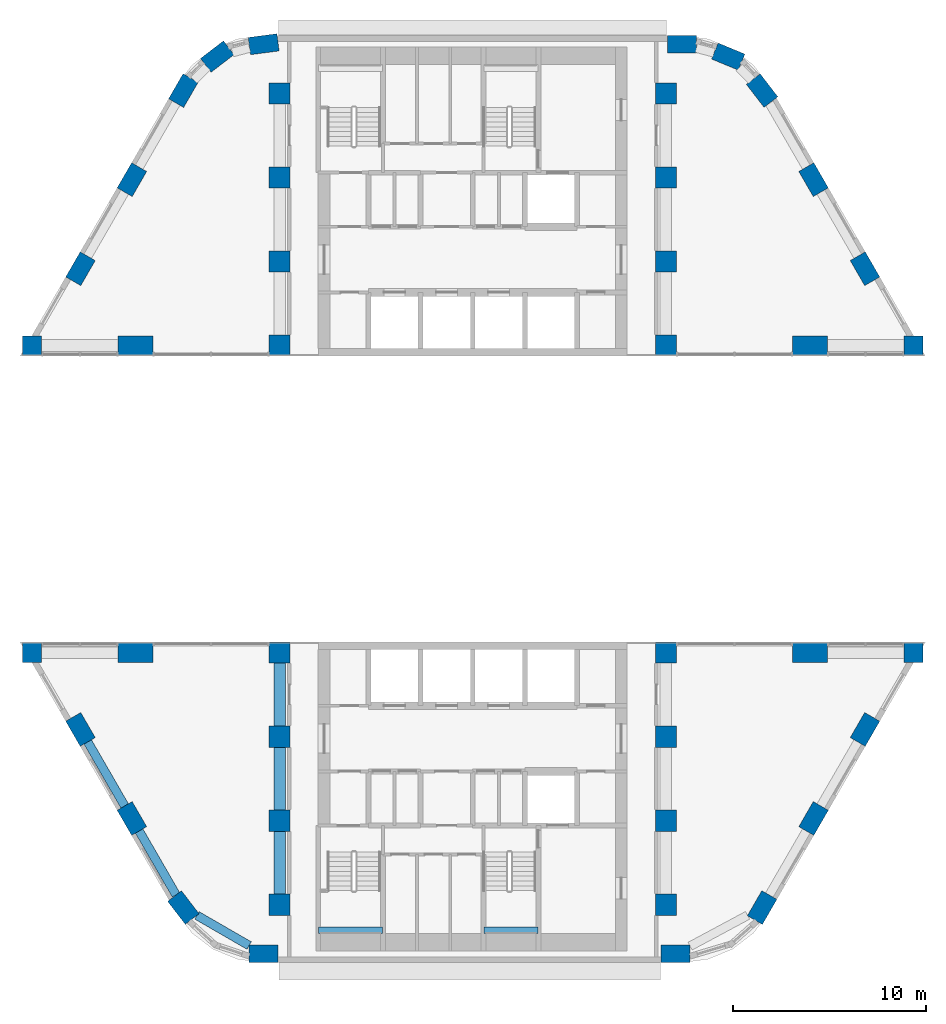
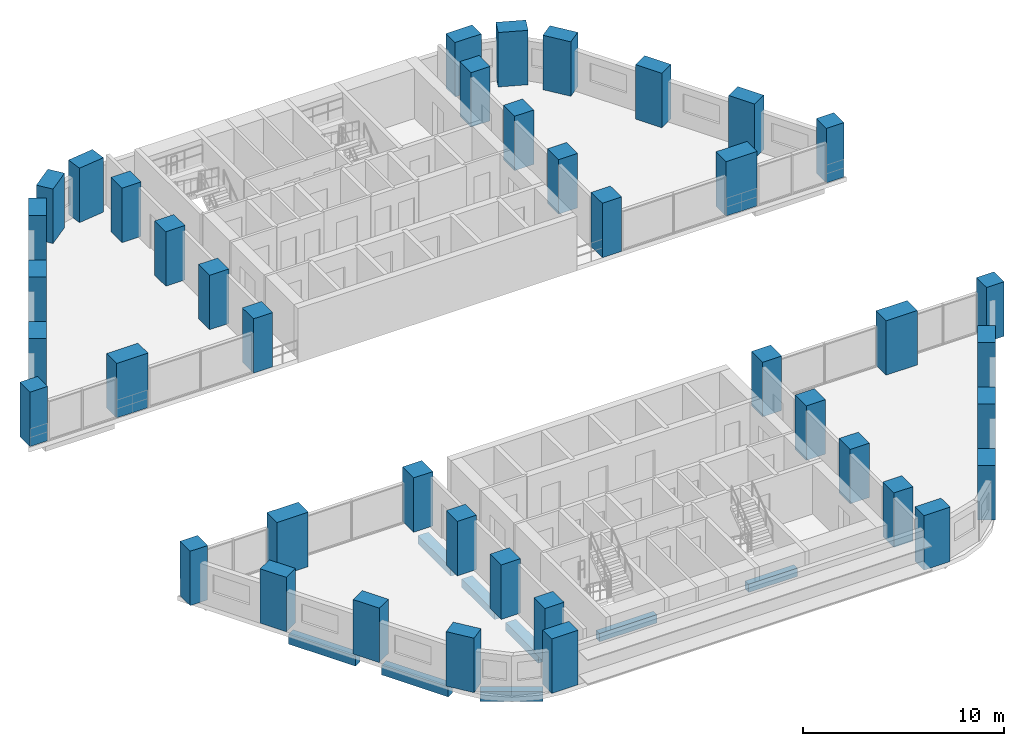
# One storey, part 1 of 11: 42 columns, 8 beams.
"""IFC4 building model written with IfcOpenShell, lengths in metres."""

from ifc_helpers import new_model, si_unit, direction, frame, origin, origin_2d, place, context, subcontext, project, spatial, rectangle, extrude, material, material_profile, profile_set, type_object, element, save


model = new_model("IFC4")

# Units and contexts
model_context = context("Model", 3, precision=1e-05, world=origin(), true_north=direction((0.0, 1.0)))
body_context = subcontext(model_context, "Body", "Model", "MODEL_VIEW")
ifc_project = project(units=[si_unit("LENGTHUNIT", "METRE"), si_unit("AREAUNIT", "SQUARE_METRE"), si_unit("VOLUMEUNIT", "CUBIC_METRE"), si_unit("PLANEANGLEUNIT", "RADIAN"), si_unit("MASSUNIT", "GRAM", prefix="KILO")], contexts=[model_context])

# Site, building, storey
site_placement = place(None, origin())
site = spatial("IfcSite", under=ifc_project, at=site_placement, CompositionType="ELEMENT")
building_placement = place(site_placement, origin())
building = spatial("IfcBuilding", under=site, at=building_placement, Name="Nakaniwa Court", CompositionType="ELEMENT")
storey_placement = place(building_placement, frame((0.0, 0.0, 31.5)))
storey = spatial("IfcBuildingStorey", under=building, at=storey_placement, Name="L07", CompositionType="ELEMENT", Elevation=31.5)

# Columns
ifc_material_1 = material(Name="Concrete C100/115", Category="concrete")
ifc_material_profile_1 = material_profile(ifc_material_1, rectangle(XDim=1.0, YDim=1.0, at=origin_2d()), Name="Concrete C100/115 RC 1000x1000 portal edge column")
ifc_profile_set_1 = profile_set([ifc_material_profile_1], Name="Concrete C100/115")
column_type_1 = type_object("IfcColumnType", Name="Concrete C100/115 RC 1000x1000 portal edge column", PredefinedType="COLUMN", material=ifc_profile_set_1)
for number, where, z_axis, x_axis, name in (
    (1, (102.822998046875, 87.949951171875, 0.0), (0.0, 0.0, 1.0), (1.0, 0.0, 0.0), "COLUMN CP-03"),
    (2, (102.822998046875, 72.050048828125, 0.0), (0.0, 0.0, 1.0), (1.0, 0.0, 0.0), "COLUMN CP-04"),
    (3, (57.177001953125, 87.949951171875, 0.0), (0.0, 0.0, 1.0), (1.0, 0.0, 0.0), "COLUMN CP-11"),
    (4, (57.177001953125, 72.050048828125, 0.0), (0.0, 0.0, 1.0), (1.0, 0.0, 0.0), "COLUMN CP-12"),
):
    element("IfcColumn", number, at=place(storey_placement, frame(where, z_axis=z_axis, x_axis=x_axis)), inside=storey, type_object=column_type_1, Name=name, PredefinedType="COLUMN", context=body_context, shape_type="SweptSolid", body=[
        extrude(rectangle(XDim=1.0, YDim=1.0, at=origin_2d()), origin(), (0.0, 0.0, 1.0), 3.300048828125),
    ])
ifc_material_profile_2 = material_profile(ifc_material_1, rectangle(XDim=1.10009765625, YDim=1.10009765625, at=origin_2d()), Name="Concrete C100/115 RC 1100x1100 spine column")
ifc_profile_set_2 = profile_set([ifc_material_profile_2], Name="Concrete C100/115")
column_type_2 = type_object("IfcColumnType", Name="Concrete C100/115 RC 1100x1100 spine column", PredefinedType="COLUMN", material=ifc_profile_set_2)
for number, where, z_axis, x_axis, name in (
    (5, (90.0, 59.0, 0.0), (0.0, 0.0, 1.0), (0.0, 1.0, 0.0), "COLUMN CS-01"),
    (6, (90.0, 63.35009765625, 0.0), (0.0, 0.0, 1.0), (0.0, 1.0, 0.0), "COLUMN CS-02"),
    (7, (90.0, 67.699951171875, 0.0), (0.0, 0.0, 1.0), (0.0, 1.0, 0.0), "COLUMN CS-03"),
    (8, (90.0, 72.050048828125, 0.0), (0.0, 0.0, 1.0), (0.0, 1.0, 0.0), "COLUMN CS-04"),
    (9, (90.0, 87.949951171875, 0.0), (0.0, 0.0, 1.0), (0.0, 1.0, 0.0), "COLUMN CS-07"),
    (10, (90.0, 92.300048828125, 0.0), (0.0, 0.0, 1.0), (0.0, 1.0, 0.0), "COLUMN CS-08"),
    (11, (90.0, 96.64990234375, 0.0), (0.0, 0.0, 1.0), (0.0, 1.0, 0.0), "COLUMN CS-09"),
    (12, (90.0, 101.0, 0.0), (0.0, 0.0, 1.0), (0.0, 1.0, 0.0), "COLUMN CS-10"),
    (13, (70.0, 101.0, 0.0), (0.0, 0.0, 1.0), (0.0, -1.0, 0.0), "COLUMN CS-11"),
    (14, (70.0, 96.64990234375, 0.0), (0.0, 0.0, 1.0), (0.0, -1.0, 0.0), "COLUMN CS-12"),
    (15, (70.0, 92.300048828125, 0.0), (0.0, 0.0, 1.0), (0.0, -1.0, 0.0), "COLUMN CS-13"),
    (16, (70.0, 87.949951171875, 0.0), (0.0, 0.0, 1.0), (0.0, -1.0, 0.0), "COLUMN CS-14"),
    (17, (70.0, 72.050048828125, 0.0), (0.0, 0.0, 1.0), (0.0, -1.0, 0.0), "COLUMN CS-17"),
    (18, (70.0, 67.699951171875, 0.0), (0.0, 0.0, 1.0), (0.0, -1.0, 0.0), "COLUMN CS-18"),
    (19, (70.0, 63.35009765625, 0.0), (0.0, 0.0, 1.0), (0.0, -1.0, 0.0), "COLUMN CS-19"),
    (20, (70.0, 59.0, 0.0), (0.0, 0.0, 1.0), (0.0, -1.0, 0.0), "COLUMN CS-20"),
):
    element("IfcColumn", number, at=place(storey_placement, frame(where, z_axis=z_axis, x_axis=x_axis)), inside=storey, type_object=column_type_2, Name=name, PredefinedType="COLUMN", context=body_context, shape_type="SweptSolid", body=[
        extrude(rectangle(XDim=1.10009765625, YDim=1.10009765625, at=origin_2d()), origin(), (0.0, 0.0, 1.0), 3.300048828125),
    ])
ifc_material_profile_3 = material_profile(ifc_material_1, rectangle(XDim=1.5, YDim=0.89990234375, at=origin_2d()), Name="Concrete C100/115 RC 1500x900 perimeter column")
ifc_profile_set_3 = profile_set([ifc_material_profile_3], Name="Concrete C100/115")
column_type_3 = type_object("IfcColumnType", Name="Concrete C100/115 RC 1500x900 perimeter column", PredefinedType="COLUMN", material=ifc_profile_set_3)
for number, where, z_axis, x_axis, name in (
    (21, (69.17529296875, 103.550048828125, 0.0), (0.0, 0.0, 1.0), (-0.991442583111, -0.130543496177, 0.0), "COLUMN CO-01"),
    (22, (66.772705078125, 102.91015625, 0.0), (0.0, 0.0, 1.0), (-0.793363965062, -0.608747582288, 0.0), "COLUMN CO-02"),
    (23, (65.017578125, 101.1494140625, 0.0), (0.0, 0.0, 1.0), (-0.5, -0.866025403784, 0.0), "COLUMN CO-03"),
    (24, (62.3544921875, 96.537109375, 0.0), (0.0, 0.0, 1.0), (-0.5, -0.866025403784, 0.0), "COLUMN CO-04"),
    (25, (59.691650390625, 91.9248046875, 0.0), (0.0, 0.0, 1.0), (-0.5, -0.866025403784, 0.0), "COLUMN CO-05"),
    (26, (59.691650390625, 68.0751953125, 0.0), (0.0, 0.0, 1.0), (0.5, -0.866025403784, 0.0), "COLUMN CO-14"),
    (27, (62.3544921875, 63.462890625, 0.0), (0.0, 0.0, 1.0), (0.5, -0.866025403784, 0.0), "COLUMN CO-15"),
    (28, (65.017578125, 58.8505859375, 0.0), (0.0, 0.0, 1.0), (0.608761429009, -0.793353340291, 0.0), "COLUMN CO-16"),
    (29, (69.17529296875, 56.449951171875, 0.0), (0.0, 0.0, 1.0), (1.0, 0.0, 0.0), "COLUMN CO-17"),
    (30, (90.507080078125, 56.449951171875, 0.0), (0.0, 0.0, 1.0), (1.0, 0.0, 0.0), "COLUMN CO-21"),
    (31, (94.982421875, 58.8505859375, 0.0), (0.0, 0.0, 1.0), (0.5, 0.866025403784, 0.0), "COLUMN CO-22"),
    (32, (97.6455078125, 63.462890625, 0.0), (0.0, 0.0, 1.0), (0.5, 0.866025403784, 0.0), "COLUMN CO-23"),
    (33, (100.308349609375, 68.0751953125, 0.0), (0.0, 0.0, 1.0), (0.5, 0.866025403784, 0.0), "COLUMN CO-24"),
    (34, (100.308349609375, 91.9248046875, 0.0), (0.0, 0.0, 1.0), (-0.5, 0.866025403784, 0.0), "COLUMN CO-33"),
    (35, (97.6455078125, 96.537109375, 0.0), (0.0, 0.0, 1.0), (-0.5, 0.866025403784, 0.0), "COLUMN CO-34"),
    (36, (94.982421875, 101.1494140625, 0.0), (0.0, 0.0, 1.0), (-0.608761429009, 0.793353340291, 0.0), "COLUMN CO-35"),
    (37, (93.227294921875, 102.91015625, 0.0), (0.0, 0.0, 1.0), (-0.923879532511, 0.382683432365, 0.0), "COLUMN CO-36"),
    (38, (90.82470703125, 103.550048828125, 0.0), (0.0, 0.0, 1.0), (-1.0, 0.0, 0.0), "COLUMN CO-37"),
):
    element("IfcColumn", number, at=place(storey_placement, frame(where, z_axis=z_axis, x_axis=x_axis)), inside=storey, type_object=column_type_3, Name=name, PredefinedType="COLUMN", context=body_context, shape_type="SweptSolid", body=[
        extrude(rectangle(XDim=1.5, YDim=0.89990234375, at=origin_2d()), origin(), (0.0, 0.0, 1.0), 3.300048828125),
    ])
ifc_material_profile_4 = material_profile(ifc_material_1, rectangle(XDim=1.800048828125, YDim=1.0, at=origin_2d()), Name="Concrete C100/115 RC 1800x1000 portal edge column")
ifc_profile_set_4 = profile_set([ifc_material_profile_4], Name="Concrete C100/115")
column_type_4 = type_object("IfcColumnType", Name="Concrete C100/115 RC 1800x1000 portal edge column", PredefinedType="COLUMN", material=ifc_profile_set_4)
for number, where, z_axis, x_axis, name in (
    (39, (97.4580078125, 87.949951171875, 0.0), (0.0, 0.0, 1.0), (1.0, 0.0, 0.0), "COLUMN CP-01"),
    (40, (97.4580078125, 72.050048828125, 0.0), (0.0, 0.0, 1.0), (1.0, 0.0, 0.0), "COLUMN CP-02"),
    (41, (62.5419921875, 87.949951171875, 0.0), (0.0, 0.0, 1.0), (1.0, 0.0, 0.0), "COLUMN CP-09"),
    (42, (62.5419921875, 72.050048828125, 0.0), (0.0, 0.0, 1.0), (1.0, 0.0, 0.0), "COLUMN CP-10"),
):
    element("IfcColumn", number, at=place(storey_placement, frame(where, z_axis=z_axis, x_axis=x_axis)), inside=storey, type_object=column_type_4, Name=name, PredefinedType="COLUMN", context=body_context, shape_type="SweptSolid", body=[
        extrude(rectangle(XDim=1.800048828125, YDim=1.0, at=origin_2d()), origin(), (0.0, 0.0, 1.0), 3.300048828125),
    ])

# Beams
ifc_material_profile_5 = material_profile(ifc_material_1, rectangle(XDim=0.449951171875, YDim=0.60009765625, at=origin_2d()), Name="Concrete C100/115 RC 450x600 spandrel beam")
ifc_profile_set_5 = profile_set([ifc_material_profile_5], Name="Concrete C100/115")
beam_type_1 = type_object("IfcBeamType", Name="Concrete C100/115 RC 450x600 spandrel beam", PredefinedType="BEAM", material=ifc_profile_set_5)
beam_1_placement = place(storey_placement, frame((60.066650390625, 67.42578125, -0.574951171875), z_axis=(0.499961815444, -0.866047448526, 0.0), x_axis=(0.866047448526, 0.499961815444, 0.0)))
element("IfcBeam", 43, at=beam_1_placement, inside=storey, type_object=beam_type_1, Name="SPANDREL BEAM", PredefinedType="BEAM", context=body_context, shape_type="SweptSolid", body=[
    extrude(rectangle(XDim=0.449951171875, YDim=0.60009765625, at=origin_2d()), origin(), (0.0, 0.0, 1.0), 3.825927734375),
])
beam_2_placement = place(storey_placement, frame((62.7294921875, 62.8134765625, -0.574951171875), z_axis=(0.500023067617, -0.86601208528, 0.0), x_axis=(0.86601208528, 0.500023067617, 0.0)))
element("IfcBeam", 44, at=beam_2_placement, inside=storey, type_object=beam_type_1, Name="SPANDREL BEAM", PredefinedType="BEAM", context=body_context, shape_type="SweptSolid", body=[
    extrude(rectangle(XDim=0.449951171875, YDim=0.60009765625, at=origin_2d()), origin(), (0.0, 0.0, 1.0), 3.819580078125),
])
beam_3_placement = place(storey_placement, frame((65.720458984375, 58.444580078125, -0.574951171875), z_axis=(0.866041096587, -0.499972818284, 0.0), x_axis=(0.499972818284, 0.866041096587, 0.0)))
element("IfcBeam", 45, at=beam_3_placement, inside=storey, type_object=beam_type_1, Name="SPANDREL BEAM", PredefinedType="BEAM", context=body_context, shape_type="SweptSolid", body=[
    extrude(rectangle(XDim=0.449951171875, YDim=0.60009765625, at=origin_2d()), origin(), (0.0, 0.0, 1.0), 3.123291015625),
])
ifc_material_profile_6 = material_profile(ifc_material_1, rectangle(XDim=0.60009765625, YDim=0.5, at=origin_2d()), Name="Concrete C100/115 RC 600x500 ring beam")
ifc_profile_set_6 = profile_set([ifc_material_profile_6], Name="Concrete C100/115")
beam_type_2 = type_object("IfcBeamType", Name="Concrete C100/115 RC 600x500 ring beam", PredefinedType="BEAM", material=ifc_profile_set_6)
for number, where, z_axis, x_axis, name in (
    (46, (70.0, 71.5, -0.52490234375), (0.0, -1.0, 0.0), (1.0, 0.0, 0.0), "RING BEAM"),
    (47, (70.0, 67.14990234375, -0.52490234375), (0.0, -1.0, 0.0), (1.0, 0.0, 0.0), "RING BEAM"),
    (48, (70.0, 62.800048828125, -0.52490234375), (0.0, -1.0, 0.0), (1.0, 0.0, 0.0), "RING BEAM"),
):
    element("IfcBeam", number, at=place(storey_placement, frame(where, z_axis=z_axis, x_axis=x_axis)), inside=storey, type_object=beam_type_2, Name=name, PredefinedType="BEAM", context=body_context, shape_type="SweptSolid", body=[
        extrude(rectangle(XDim=0.60009765625, YDim=0.5, at=origin_2d()), origin(), (0.0, 0.0, 1.0), 3.25),
    ])
ifc_material_2 = material(Name="Concrete C80/100", Category="concrete")
ifc_material_profile_7 = material_profile(ifc_material_2, rectangle(XDim=0.35009765625, YDim=0.5, at=origin_2d()), Name="Concrete C80/100 RC 350x500 landing ledge beam")
ifc_profile_set_7 = profile_set([ifc_material_profile_7], Name="Concrete C80/100")
beam_type_3 = type_object("IfcBeamType", Name="Concrete C80/100 RC 350x500 landing ledge beam", PredefinedType="BEAM", material=ifc_profile_set_7)
beam_4_placement = place(storey_placement, frame((72.02490234375, 57.675048828125, 1.199951171875), z_axis=(1.0, 0.0, 0.0), x_axis=(0.0, 1.0, 0.0)))
element("IfcBeam", 49, at=beam_4_placement, inside=storey, type_object=beam_type_3, Name="LANDING LEDGE BEAM", PredefinedType="BEAM", context=body_context, shape_type="SweptSolid", body=[
    extrude(rectangle(XDim=0.35009765625, YDim=0.5, at=origin_2d()), origin(), (0.0, 0.0, 1.0), 3.300048828125),
])
beam_5_placement = place(storey_placement, frame((80.574951171875, 57.675048828125, 1.199951171875), z_axis=(1.0, 0.0, 0.0), x_axis=(0.0, 1.0, 0.0)))
element("IfcBeam", 50, at=beam_5_placement, inside=storey, type_object=beam_type_3, Name="LANDING LEDGE BEAM", PredefinedType="BEAM", context=body_context, shape_type="SweptSolid", body=[
    extrude(rectangle(XDim=0.35009765625, YDim=0.5, at=origin_2d()), origin(), (0.0, 0.0, 1.0), 2.800048828125),
])

save(model, "model.ifc")
